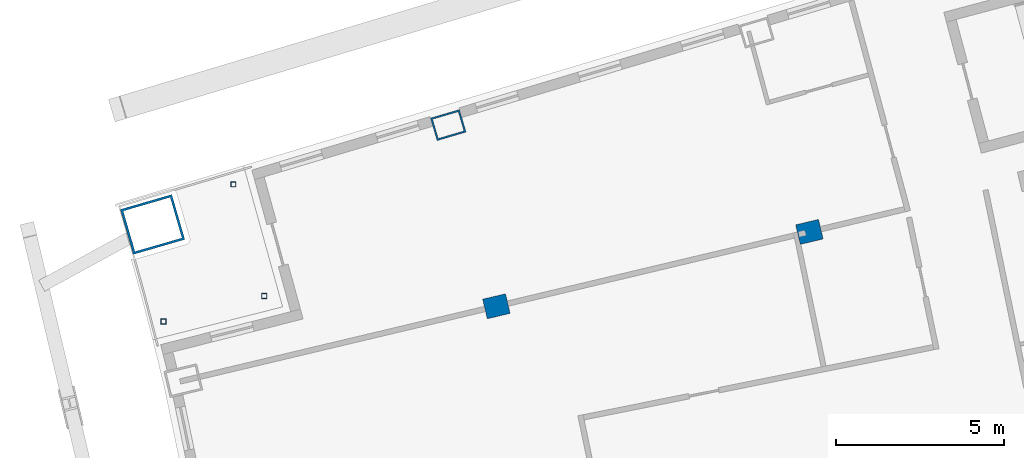
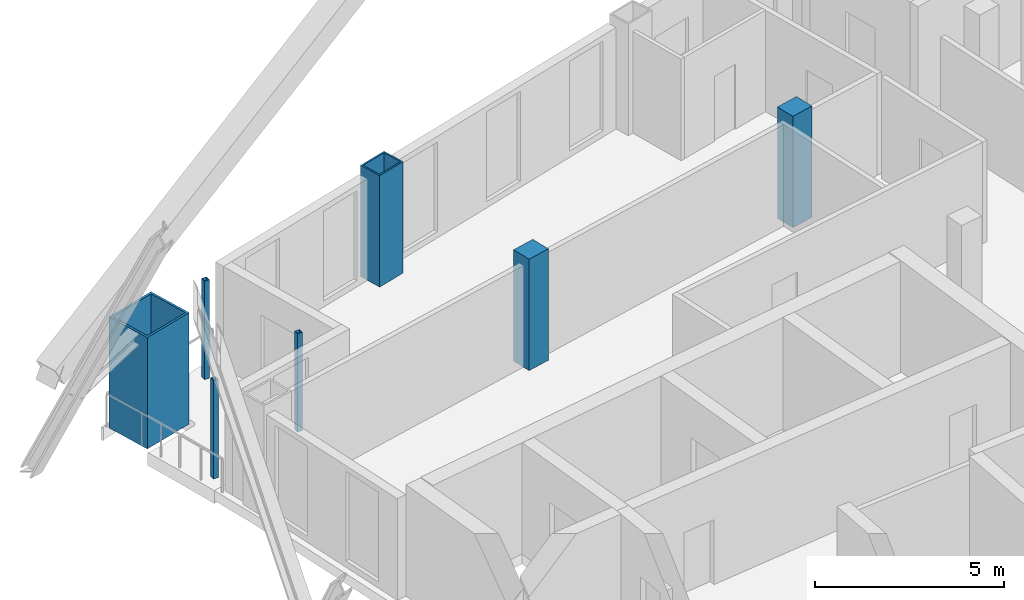
# One storey, part 5 of 21: 7 columns.
"""IFC4 building model written with IfcOpenShell, lengths in metres."""

from ifc_helpers import new_model, si_unit, direction, frame, origin, origin_2d, place, context, subcontext, project, spatial, rectangle, hollow_rectangle, extrude, material, material_profile, profile_set, type_object, element, save


model = new_model("IFC4")

# Units and contexts
model_context = context("Model", 3, precision=1e-05, world=origin(), true_north=direction((0.0, 1.0)))
body_context = subcontext(model_context, "Body", "Model", "MODEL_VIEW")
ifc_project = project(units=[si_unit("LENGTHUNIT", "METRE"), si_unit("AREAUNIT", "SQUARE_METRE"), si_unit("VOLUMEUNIT", "CUBIC_METRE"), si_unit("PLANEANGLEUNIT", "RADIAN"), si_unit("MASSUNIT", "GRAM", prefix="KILO")], contexts=[model_context])

# Site, building, storey
site_placement = place(None, origin())
site = spatial("IfcSite", under=ifc_project, at=site_placement, CompositionType="ELEMENT")
building_placement = place(site_placement, origin())
building = spatial("IfcBuilding", under=site, at=building_placement, Name="Alderwake Tower", CompositionType="ELEMENT")
storey_placement = place(building_placement, frame((0.0, 0.0, 267.199951171875)))
storey = spatial("IfcBuildingStorey", under=building, at=storey_placement, Name="L66", CompositionType="ELEMENT", Elevation=267.199951171875)

# Columns
ifc_material_1 = material(Name="Steel ASTM A572 Grade 50 concrete filled C70/85", Category="concrete")
ifc_material_profile_1 = material_profile(ifc_material_1, hollow_rectangle(XDim=0.699951171875, YDim=0.89990234375, WallThickness=0.050048828125, at=origin_2d()), Name="BOX 900X700X50")
ifc_profile_set_1 = profile_set([ifc_material_profile_1], Name="Steel ASTM A572 Grade 50 concrete filled C70/85")
column_type_1 = type_object("IfcColumnType", Name="End column Z5", PredefinedType="COLUMN", material=ifc_profile_set_1)
column_1_placement = place(storey_placement, frame((21.885498046875, 90.96240234375, 0.0), z_axis=(0.0, 0.0, 1.0), x_axis=(-0.282132160283, 0.95937554906, 0.0)))
element("IfcColumn", 1, at=column_1_placement, inside=storey, type_object=column_type_1, Name="Column R12-C1", PredefinedType="COLUMN", context=body_context, shape_type="SweptSolid", body=[
    extrude(hollow_rectangle(XDim=0.699951171875, YDim=0.89990234375, WallThickness=0.050048828125, at=origin_2d()), origin(), (0.0, 0.0, 1.0), 3.60009765625),
])
ifc_material_2 = material(Name="Concrete C70/85", Category="concrete")
ifc_material_profile_2 = material_profile(ifc_material_2, rectangle(XDim=0.60009765625, YDim=0.699951171875, at=origin_2d()), Name="RC 700X600")
ifc_profile_set_2 = profile_set([ifc_material_profile_2], Name="Concrete C70/85")
column_type_2 = type_object("IfcColumnType", Name="Interior column Z5", PredefinedType="COLUMN", material=ifc_profile_set_2)
for number, where, z_axis, x_axis, name in (
    (2, (23.322021484375, 85.555908203125, 0.0), (0.0, 0.0, 1.0), (-0.231221547198, 0.972901123502, 0.0), "Column R11-C1"),
    (3, (32.661865234375, 87.775390625, 0.0), (0.0, 0.0, 1.0), (-0.231221547198, 0.972901123502, 0.0), "Column R11-C2"),
):
    element("IfcColumn", number, at=place(storey_placement, frame(where, z_axis=z_axis, x_axis=x_axis)), inside=storey, type_object=column_type_2, Name=name, PredefinedType="COLUMN", context=body_context, shape_type="SweptSolid", body=[
        extrude(rectangle(XDim=0.60009765625, YDim=0.699951171875, at=origin_2d()), origin(), (0.0, 0.0, 1.0), 3.60009765625),
    ])
ifc_material_3 = material(Name="Steel ASTM A500 Grade C", Category="steel")
ifc_material_profile_3 = material_profile(ifc_material_3, hollow_rectangle(XDim=0.15234375, YDim=0.15234375, WallThickness=0.0087890625, at=origin_2d()), Name="HSS6X6X3/8")
ifc_profile_set_3 = profile_set([ifc_material_profile_3], Name="Steel ASTM A500 Grade C")
column_type_3 = type_object("IfcColumnType", Name="Light post HSS6X6X3/8", PredefinedType="COLUMN", material=ifc_profile_set_3)
for number, where, z_axis, x_axis, name in (
    (4, (13.3896484375, 85.103515625, 0.0), (0.0, 0.0, 1.0), (1.0, 0.0, 0.0), "Terrace post RN1"),
    (5, (15.47412109375, 89.194091796875, 0.0), (0.0, 0.0, 1.0), (1.0, 0.0, 0.0), "Terrace post RN2"),
    (6, (16.39501953125, 85.864013671875, 0.0), (0.0, 0.0, 1.0), (1.0, 0.0, 0.0), "Terrace post RN3"),
):
    element("IfcColumn", number, at=place(storey_placement, frame(where, z_axis=z_axis, x_axis=x_axis)), inside=storey, type_object=column_type_3, Name=name, PredefinedType="COLUMN", context=body_context, shape_type="SweptSolid", body=[
        extrude(hollow_rectangle(XDim=0.15234375, YDim=0.15234375, WallThickness=0.0087890625, at=origin_2d()), origin(), (0.0, 0.0, 1.0), 3.179931640625),
    ])
ifc_material_4 = material(Name="Steel ASTM A572 Grade 50 concrete filled C70/85", Category="concrete")
ifc_material_profile_4 = material_profile(ifc_material_4, hollow_rectangle(XDim=1.39990234375, YDim=1.60009765625, WallThickness=0.070068359375, at=origin_2d()), Name="BOX 1600X1400X70")
ifc_profile_set_4 = profile_set([ifc_material_profile_4], Name="Steel ASTM A572 Grade 50 concrete filled C70/85")
column_type_4 = type_object("IfcColumnType", Name="Mega column Z5", PredefinedType="COLUMN", material=ifc_profile_set_4)
column_2_placement = place(storey_placement, frame((13.06298828125, 87.99755859375, 0.0), z_axis=(0.0, 0.0, 1.0), x_axis=(-0.278612301868, 0.960403657452, 0.0)))
element("IfcColumn", 7, at=column_2_placement, inside=storey, type_object=column_type_4, Name="Column R12-C0", PredefinedType="COLUMN", context=body_context, shape_type="SweptSolid", body=[
    extrude(hollow_rectangle(XDim=1.39990234375, YDim=1.60009765625, WallThickness=0.070068359375, at=origin_2d()), origin(), (0.0, 0.0, 1.0), 3.60009765625),
])

save(model, "model.ifc")
